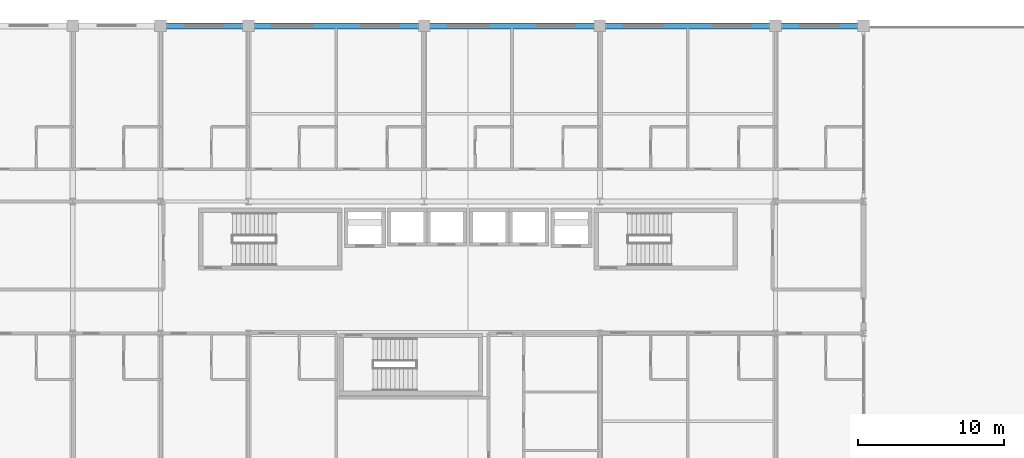
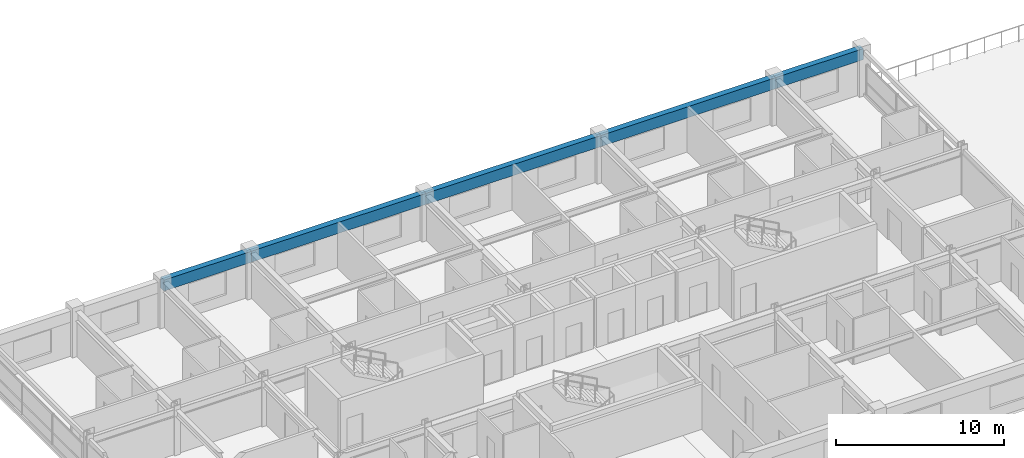
# One storey, part 18 of 27: 5 beams.
"""IFC4 building model written with IfcOpenShell, lengths in metres."""

from ifc_helpers import new_model, si_unit, direction, frame, origin, origin_2d, place, context, subcontext, project, spatial, rectangle, extrude, material, material_profile, profile_set, type_object, element, save


model = new_model("IFC4")

# Units and contexts
model_context = context("Model", 3, precision=1e-05, world=origin(), true_north=direction((0.0, 1.0)))
body_context = subcontext(model_context, "Body", "Model", "MODEL_VIEW")
ifc_project = project(units=[si_unit("LENGTHUNIT", "METRE"), si_unit("AREAUNIT", "SQUARE_METRE"), si_unit("VOLUMEUNIT", "CUBIC_METRE"), si_unit("PLANEANGLEUNIT", "RADIAN"), si_unit("MASSUNIT", "GRAM", prefix="KILO")], contexts=[model_context])

# Site, building, storey
site_placement = place(None, origin())
site = spatial("IfcSite", under=ifc_project, at=site_placement, CompositionType="ELEMENT")
building_placement = place(site_placement, origin())
building = spatial("IfcBuilding", under=site, at=building_placement, Name="Kaldorvane Square Convention Centre", CompositionType="ELEMENT")
storey_placement = place(building_placement, frame((0.0, 0.0, 38.399993896484375)))
storey = spatial("IfcBuildingStorey", under=building, at=storey_placement, Name="L08", CompositionType="ELEMENT", Elevation=38.399993896484375)

# Beams
ifc_material = material(Name="Concrete f'c = 42 MPa (Normalweight)", Category="concrete")
ifc_material_profile = material_profile(ifc_material, rectangle(XDim=0.399993896484375, YDim=0.8000030517578125, at=origin_2d()), Name="RCSP800X400")
ifc_profile_set = profile_set([ifc_material_profile], Name="Concrete f'c = 42 MPa (Normalweight)")
beam_type = type_object("IfcBeamType", Name="BM-SP-RC800", PredefinedType="SPANDREL", material=ifc_profile_set)
beam_1_placement = place(storey_placement, frame((36.0, 117.0, 2.8860015869140625), z_axis=(1.0, 0.0, 0.0), x_axis=(0.0, 1.0, 0.0)))
element("IfcBeam", 1, at=beam_1_placement, inside=storey, type_object=beam_type, Name="Perimeter Spandrel (L08)", PredefinedType="SPANDREL", context=body_context, shape_type="SweptSolid", body=[
    extrude(rectangle(XDim=0.399993896484375, YDim=0.8000030517578125, at=origin_2d()), origin(), (0.0, 0.0, 1.0), 6.0),
])
for number, where, z_axis, x_axis, name in (
    (2, (42.0, 117.0, 2.8860015869140625), (1.0, 0.0, 0.0), (0.0, 1.0, 0.0), "Perimeter Spandrel (L08)"),
    (3, (54.0, 117.0, 2.8860015869140625), (1.0, 0.0, 0.0), (0.0, 1.0, 0.0), "Perimeter Spandrel (L08)"),
    (4, (66.0, 117.0, 2.8860015869140625), (1.0, 0.0, 0.0), (0.0, 1.0, 0.0), "Perimeter Spandrel (L08)"),
):
    element("IfcBeam", number, at=place(storey_placement, frame(where, z_axis=z_axis, x_axis=x_axis)), inside=storey, type_object=beam_type, Name=name, PredefinedType="SPANDREL", context=body_context, shape_type="SweptSolid", body=[
        extrude(rectangle(XDim=0.399993896484375, YDim=0.8000030517578125, at=origin_2d()), origin(), (0.0, 0.0, 1.0), 12.0),
    ])
beam_2_placement = place(storey_placement, frame((78.0, 117.0, 2.8860015869140625), z_axis=(1.0, 0.0, 0.0), x_axis=(0.0, 1.0, 0.0)))
element("IfcBeam", 5, at=beam_2_placement, inside=storey, type_object=beam_type, Name="Perimeter Spandrel (L08)", PredefinedType="SPANDREL", context=body_context, shape_type="SweptSolid", body=[
    extrude(rectangle(XDim=0.399993896484375, YDim=0.8000030517578125, at=origin_2d()), origin(), (0.0, 0.0, 1.0), 6.0),
])

save(model, "model.ifc")
